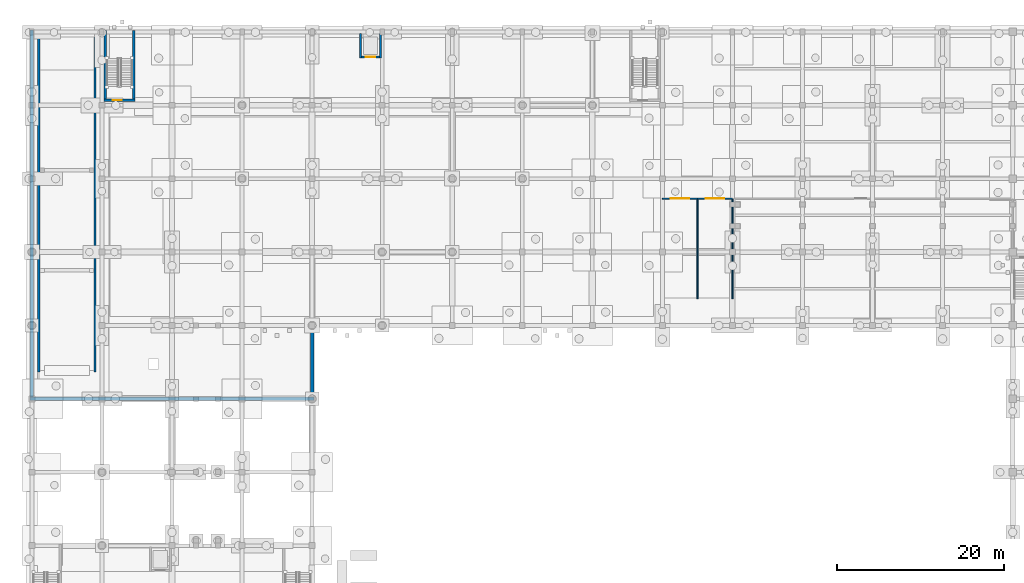
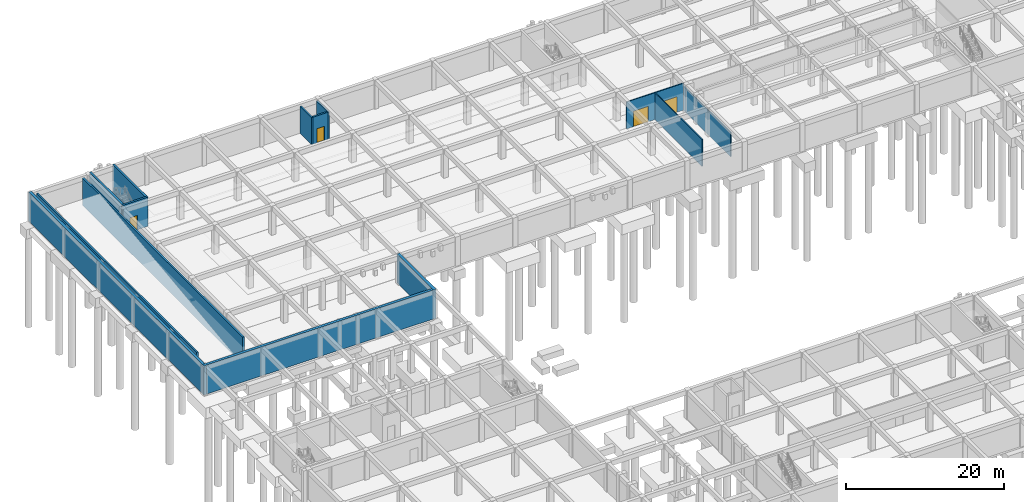
# One storey, part 25 of 41: 15 walls, 4 doors, 4 openings.
"""IFC4 building model written with IfcOpenShell, lengths in metres."""

from ifc_helpers import new_model, si_unit, direction, frame, frame_2d, origin, place, context, subcontext, project, spatial, rectangle, extrude, material, layer, layer_set, type_object, element, fill, save


model = new_model("IFC4")

# Units and contexts
model_context = context("Model", 3, precision=1e-05, world=origin(), true_north=direction((0.0, 1.0)))
body_context = subcontext(model_context, "Body", "Model", "MODEL_VIEW")
ifc_project = project(units=[si_unit("LENGTHUNIT", "METRE"), si_unit("AREAUNIT", "SQUARE_METRE"), si_unit("VOLUMEUNIT", "CUBIC_METRE"), si_unit("PLANEANGLEUNIT", "RADIAN"), si_unit("MASSUNIT", "GRAM", prefix="KILO")], contexts=[model_context])

# Site, building, storey
site_placement = place(None, origin())
site = spatial("IfcSite", under=ifc_project, at=site_placement, CompositionType="ELEMENT")
building_placement = place(site_placement, origin())
building = spatial("IfcBuilding", under=site, at=building_placement, Name="Kemercrest Conservatory and Botanical Centre", CompositionType="ELEMENT")
storey_placement = place(building_placement, frame((0.0, 0.0, -4.5)))
storey = spatial("IfcBuildingStorey", under=building, at=storey_placement, Name="B1", CompositionType="ELEMENT", Elevation=-4.5)

# Wall, opening, door
ifc_material_1 = material(Name="Concrete C50/60", Category="concrete")
ifc_layer_1 = layer(ifc_material_1, 0.300048828125)
ifc_layer_set_1 = layer_set([ifc_layer_1], Name="Concrete C50/60")
wall_type_1 = type_object("IfcWallType", Name="CW-STAIR", PredefinedType="SHEAR", material=ifc_layer_set_1)
wall_1_placement = place(storey_placement, frame((16.64990234375, 114.199951171875, 0.0), z_axis=(0.0, 0.0, 1.0), x_axis=(1.0, 0.0, 0.0)))
wall_1 = element("IfcWall", 1, at=wall_1_placement, inside=storey, type_object=wall_type_1, Name="Stair core ST-V3A shear wall S", PredefinedType="SHEAR", context=body_context, shape_type="SweptSolid", body=[
    extrude(rectangle(XDim=3.7001953125, YDim=0.300048828125, at=frame_2d((1.85009765625, 0.0))), origin(), (0.0, 0.0, 1.0), 4.5),
])
opening_1_placement = place(wall_1_placement, frame((1.050048828125, 0.0, 0.0)))
opening_1 = element("IfcOpeningElement", 2, at=opening_1_placement, cuts=wall_1, Name="Opening D015", PredefinedType="OPENING", context=body_context, shape_type="SweptSolid", body=[
    extrude(rectangle(XDim=1.10009765625, YDim=2.199951171875, at=frame_2d((0.550048828125, 1.10009765625))), frame((0.0, 0.16015625, 0.0), z_axis=(0.0, -1.0, 0.0), x_axis=(1.0, 0.0, 0.0)), (0.0, 0.0, 1.0), 0.320068359375),
])
ifc_material_2 = material(Name="Powder-coated galvanized steel and fire-rated vision glass", Category="steel")
door_type_1 = type_object("IfcDoorType", Name="DT-FD90", OperationType="NOTDEFINED", PredefinedType="DOOR", material=ifc_material_2)
door_1_placement = place(opening_1_placement, origin())
door_1 = element("IfcDoor", 3, at=door_1_placement, inside=storey, type_object=door_type_1, Name="Exit stair ST-V3A fire door D015", OperationType="SINGLE_SWING_LEFT", OverallHeight=2.199951171875, OverallWidth=1.10009765625, PredefinedType="DOOR", context=body_context, shape_type="SweptSolid", body=[
    extrude(rectangle(XDim=1.10009765625, YDim=2.199951171875, at=frame_2d((0.550048828125, 1.10009765625))), frame((0.0, 0.02490234375, 0.0), z_axis=(0.0, -1.0, 0.0), x_axis=(1.0, 0.0, 0.0)), (0.0, 0.0, 1.0), 0.050048828125),
])
fill(opening_1, door_1)

# Walls
for number, where, z_axis, x_axis, name in (
    (4, (16.800048828125, 114.050048828125, 0.0), (0.0, 0.0, 1.0), (0.0, 1.0, 0.0), "Stair core ST-V3A shear wall W"),
    (5, (20.199951171875, 114.050048828125, 0.0), (0.0, 0.0, 1.0), (0.0, 1.0, 0.0), "Stair core ST-V3A shear wall E"),
):
    element("IfcWall", number, at=place(storey_placement, frame(where, z_axis=z_axis, x_axis=x_axis)), inside=storey, type_object=wall_type_1, Name=name, PredefinedType="SHEAR", context=body_context, shape_type="SweptSolid", body=[
        extrude(rectangle(XDim=8.5, YDim=0.300048828125, at=frame_2d((4.25, 0.0))), origin(), (0.0, 0.0, 1.0), 4.5),
    ])

# Wall, opening, door
ifc_material_3 = material(Name="Steel-stud gypsum board partition", Category="steel")
ifc_layer_2 = layer(ifc_material_3, 0.14990234375)
ifc_layer_set_2 = layer_set([ifc_layer_2], Name="Steel-stud gypsum board partition")
wall_type_2 = type_object("IfcWallType", Name="W-PART150", PredefinedType="PARTITIONING", material=ifc_layer_set_2)
wall_2_placement = place(storey_placement, frame((83.60009765625, 102.39990234375, 0.0), z_axis=(0.0, 0.0, 1.0), x_axis=(1.0, 0.0, 0.0)))
wall_2 = element("IfcWall", 6, at=wall_2_placement, inside=storey, type_object=wall_type_2, Name="Interior partition W-PART150 #3", PredefinedType="PARTITIONING", context=body_context, shape_type="SweptSolid", body=[
    extrude(rectangle(XDim=4.199951171875, YDim=0.14990234375, at=frame_2d((2.10009765625, 0.0))), origin(), (0.0, 0.0, 1.0), 4.1650390625),
])
opening_2_placement = place(wall_2_placement, frame((1.0, 0.0, 0.0)))
opening_2 = element("IfcOpeningElement", 7, at=opening_2_placement, cuts=wall_2, Name="Opening D107", PredefinedType="OPENING", context=body_context, shape_type="SweptSolid", body=[
    extrude(rectangle(XDim=2.199951171875, YDim=2.39990234375, at=frame_2d((1.10009765625, 1.199951171875))), frame((0.0, 0.0849609375, 0.0), z_axis=(0.0, -1.0, 0.0), x_axis=(1.0, 0.0, 0.0)), (0.0, 0.0, 1.0), 0.169921875),
])
ifc_material_4 = material(Name="FSC solid-core white oak veneer and anodized aluminium frame", Category="aluminium")
door_type_2 = type_object("IfcDoorType", Name="DT-16", OperationType="DOUBLE_DOOR_SLIDING", PredefinedType="DOOR", material=ifc_material_4)
door_2_placement = place(opening_2_placement, origin())
door_2 = element("IfcDoor", 8, at=door_2_placement, inside=storey, type_object=door_type_2, Name="Enclosed Service Loading Bay LB-01 door D107", OperationType="DOUBLE_DOOR_SLIDING", OverallHeight=2.39990234375, OverallWidth=2.199951171875, PredefinedType="DOOR", context=body_context, shape_type="SweptSolid", body=[
    extrude(rectangle(XDim=2.199951171875, YDim=2.39990234375, at=frame_2d((1.10009765625, 1.199951171875))), frame((0.0, 0.02490234375, 0.0), z_axis=(0.0, -1.0, 0.0), x_axis=(1.0, 0.0, 0.0)), (0.0, 0.0, 1.0), 0.050048828125),
])
fill(opening_2, door_2)

wall_3_placement = place(storey_placement, frame((87.800048828125, 102.39990234375, 0.0), z_axis=(0.0, 0.0, 1.0), x_axis=(1.0, 0.0, 0.0)))
wall_3 = element("IfcWall", 9, at=wall_3_placement, inside=storey, type_object=wall_type_2, Name="Interior partition W-PART150 #4", PredefinedType="PARTITIONING", context=body_context, shape_type="SweptSolid", body=[
    extrude(rectangle(XDim=4.199951171875, YDim=0.14990234375, at=frame_2d((2.10009765625, 0.0))), origin(), (0.0, 0.0, 1.0), 4.1650390625),
])
opening_3_placement = place(wall_3_placement, frame((1.0, 0.0, 0.0)))
opening_3 = element("IfcOpeningElement", 10, at=opening_3_placement, cuts=wall_3, Name="Opening D108", PredefinedType="OPENING", context=body_context, shape_type="SweptSolid", body=[
    extrude(rectangle(XDim=2.199951171875, YDim=2.39990234375, at=frame_2d((1.10009765625, 1.199951171875))), frame((0.0, 0.0849609375, 0.0), z_axis=(0.0, -1.0, 0.0), x_axis=(1.0, 0.0, 0.0)), (0.0, 0.0, 1.0), 0.169921875),
])
door_3_placement = place(opening_3_placement, origin())
door_3 = element("IfcDoor", 11, at=door_3_placement, inside=storey, type_object=door_type_2, Name="Enclosed Service Loading Bay LB-02 door D108", OperationType="DOUBLE_DOOR_SLIDING", OverallHeight=2.39990234375, OverallWidth=2.199951171875, PredefinedType="DOOR", context=body_context, shape_type="SweptSolid", body=[
    extrude(rectangle(XDim=2.199951171875, YDim=2.39990234375, at=frame_2d((1.10009765625, 1.199951171875))), frame((0.0, 0.02490234375, 0.0), z_axis=(0.0, -1.0, 0.0), x_axis=(1.0, 0.0, 0.0)), (0.0, 0.0, 1.0), 0.050048828125),
])
fill(opening_3, door_3)

# Walls
wall_4_placement = place(storey_placement, frame((87.800048828125, 90.39990234375, 0.0), z_axis=(0.0, 0.0, 1.0), x_axis=(0.0, 1.0, 0.0)))
element("IfcWall", 12, at=wall_4_placement, inside=storey, type_object=wall_type_2, Name="Interior partition W-PART150 #12", PredefinedType="PARTITIONING", context=body_context, shape_type="SweptSolid", body=[
    extrude(rectangle(XDim=11.920166015625, YDim=0.14990234375, at=frame_2d((5.9599609375, 0.0))), origin(), (0.0, 0.0, 1.0), 4.1650390625),
])
wall_5_placement = place(storey_placement, frame((92.0, 90.39990234375, 0.0), z_axis=(0.0, 0.0, 1.0), x_axis=(0.0, 1.0, 0.0)))
element("IfcWall", 13, at=wall_5_placement, inside=storey, type_object=wall_type_2, Name="Interior partition W-PART150 #13", PredefinedType="PARTITIONING", context=body_context, shape_type="SweptSolid", body=[
    extrude(rectangle(XDim=11.920166015625, YDim=0.14990234375, at=frame_2d((5.9599609375, 0.0))), origin(), (0.0, 0.0, 1.0), 3.7451171875),
])
ifc_material_5 = material(Name="Concrete C40/50", Category="concrete")
ifc_layer_3 = layer(ifc_material_5, 0.39990234375)
ifc_layer_set_3 = layer_set([ifc_layer_3], Name="Concrete C40/50")
wall_type_3 = type_object("IfcWallType", Name="W-RET400", PredefinedType="USERDEFINED", material=ifc_layer_set_3)
wall_6_placement = place(storey_placement, frame((7.800048828125, 78.39990234375, 0.0), z_axis=(0.0, 0.0, 1.0), x_axis=(1.0, 0.0, 0.0)))
element("IfcWall", 14, at=wall_6_placement, inside=storey, type_object=wall_type_3, Name="Basement perimeter retaining wall #9", ObjectType="RETAINING WALL", PredefinedType="USERDEFINED", context=body_context, shape_type="SweptSolid", body=[
    extrude(rectangle(XDim=34.0, YDim=0.39990234375, at=frame_2d((17.0, 0.0))), origin(), (0.0, 0.0, 1.0), 4.5),
])
wall_7_placement = place(storey_placement, frame((41.60009765625, 78.199951171875, 0.0), z_axis=(0.0, 0.0, 1.0), x_axis=(0.0, 1.0, 0.0)))
element("IfcWall", 15, at=wall_7_placement, inside=storey, type_object=wall_type_3, Name="Basement perimeter retaining wall #10", ObjectType="RETAINING WALL", PredefinedType="USERDEFINED", context=body_context, shape_type="SweptSolid", body=[
    extrude(rectangle(XDim=9.199951171875, YDim=0.39990234375, at=frame_2d((4.60009765625, 0.0))), origin(), (0.0, 0.0, 1.0), 4.5),
])
wall_8_placement = place(storey_placement, frame((8.0, 122.60009765625, 0.0), z_axis=(0.0, 0.0, 1.0), x_axis=(0.0, -1.0, 0.0)))
element("IfcWall", 16, at=wall_8_placement, inside=storey, type_object=wall_type_3, Name="Basement perimeter retaining wall #14", ObjectType="RETAINING WALL", PredefinedType="USERDEFINED", context=body_context, shape_type="SweptSolid", body=[
    extrude(rectangle(XDim=44.400146484375, YDim=0.39990234375, at=frame_2d((22.2001953125, 0.0))), origin(), (0.0, 0.0, 1.0), 4.5),
])

# Wall, opening, door
ifc_layer_4 = layer(ifc_material_5, 0.25)
ifc_layer_set_4 = layer_set([ifc_layer_4], Name="Concrete C40/50")
wall_type_4 = type_object("IfcWallType", Name="W-SHFT250", PredefinedType="SOLIDWALL", material=ifc_layer_set_4)
wall_9_placement = place(storey_placement, frame((47.27490234375, 119.39990234375, 0.0), z_axis=(0.0, 0.0, 1.0), x_axis=(1.0, 0.0, 0.0)))
wall_9 = element("IfcWall", 17, at=wall_9_placement, inside=storey, type_object=wall_type_4, Name="Elevator LF-V3 shaft wall south", PredefinedType="SOLIDWALL", context=body_context, shape_type="SweptSolid", body=[
    extrude(rectangle(XDim=2.650146484375, YDim=0.25, at=frame_2d((1.3251953125, 0.0))), origin(), (0.0, 0.0, 1.0), 4.179931640625),
])
opening_4_placement = place(wall_9_placement, frame((0.77490234375, 0.0, 0.0)))
opening_4 = element("IfcOpeningElement", 18, at=opening_4_placement, cuts=wall_9, Name="Opening LD-100", PredefinedType="OPENING", context=body_context, shape_type="SweptSolid", body=[
    extrude(rectangle(XDim=1.10009765625, YDim=2.199951171875, at=frame_2d((0.550048828125, 1.10009765625))), frame((0.0, 0.135009765625, 0.0), z_axis=(0.0, -1.0, 0.0), x_axis=(1.0, 0.0, 0.0)), (0.0, 0.0, 1.0), 0.27001953125),
])
door_type_3 = type_object("IfcDoorType", Name="DT-LD01", OperationType="SLIDING_TO_LEFT", PredefinedType="DOOR", material=ifc_material_2)
door_4_placement = place(opening_4_placement, origin())
door_4 = element("IfcDoor", 19, at=door_4_placement, inside=storey, type_object=door_type_3, Name="Elevator LF-V3 sliding landing door LD-100", OperationType="SLIDING_TO_LEFT", OverallHeight=2.199951171875, OverallWidth=1.10009765625, PredefinedType="DOOR", context=body_context, shape_type="SweptSolid", body=[
    extrude(rectangle(XDim=1.10009765625, YDim=2.199951171875, at=frame_2d((0.550048828125, 1.10009765625))), frame((0.0, 0.02490234375, 0.0), z_axis=(0.0, -1.0, 0.0), x_axis=(1.0, 0.0, 0.0)), (0.0, 0.0, 1.0), 0.050048828125),
])
fill(opening_4, door_4)

# Walls
for number, where, z_axis, x_axis, name in (
    (20, (47.39990234375, 119.27490234375, 0.0), (0.0, 0.0, 1.0), (0.0, 1.0, 0.0), "Elevator LF-V3 shaft wall west"),
    (21, (49.800048828125, 119.27490234375, 0.0), (0.0, 0.0, 1.0), (0.0, 1.0, 0.0), "Elevator LF-V3 shaft wall east"),
):
    element("IfcWall", number, at=place(storey_placement, frame(where, z_axis=z_axis, x_axis=x_axis)), inside=storey, type_object=wall_type_4, Name=name, PredefinedType="SOLIDWALL", context=body_context, shape_type="SweptSolid", body=[
        extrude(rectangle(XDim=2.9501953125, YDim=0.25, at=frame_2d((1.47509765625, 0.0))), origin(), (0.0, 0.0, 1.0), 4.179931640625),
    ])
ifc_layer_5 = layer(ifc_material_5, 0.25)
ifc_layer_set_5 = layer_set([ifc_layer_5], Name="Concrete C40/50")
wall_type_5 = type_object("IfcWallType", Name="W-VRMP250", PredefinedType="SOLIDWALL", material=ifc_layer_set_5)
for number, where, z_axis, x_axis, name in (
    (22, (8.824951171875, 81.60009765625, 0.0), (0.0, 0.0, 1.0), (0.0, 1.0, 0.0), "Basement vehicle ramp R1 enclosure wall W"),
    (23, (15.574951171875, 81.60009765625, 0.0), (0.0, 0.0, 1.0), (0.0, 1.0, 0.0), "Basement vehicle ramp R1 enclosure wall E"),
):
    element("IfcWall", number, at=place(storey_placement, frame(where, z_axis=z_axis, x_axis=x_axis)), inside=storey, type_object=wall_type_5, Name=name, PredefinedType="SOLIDWALL", context=body_context, shape_type="SweptSolid", body=[
        extrude(rectangle(XDim=40.619873046875, YDim=0.25, at=frame_2d((20.31005859375, 0.0))), origin(), (0.0, 0.0, 1.0), 4.219970703125),
    ])

save(model, "model.ifc")
